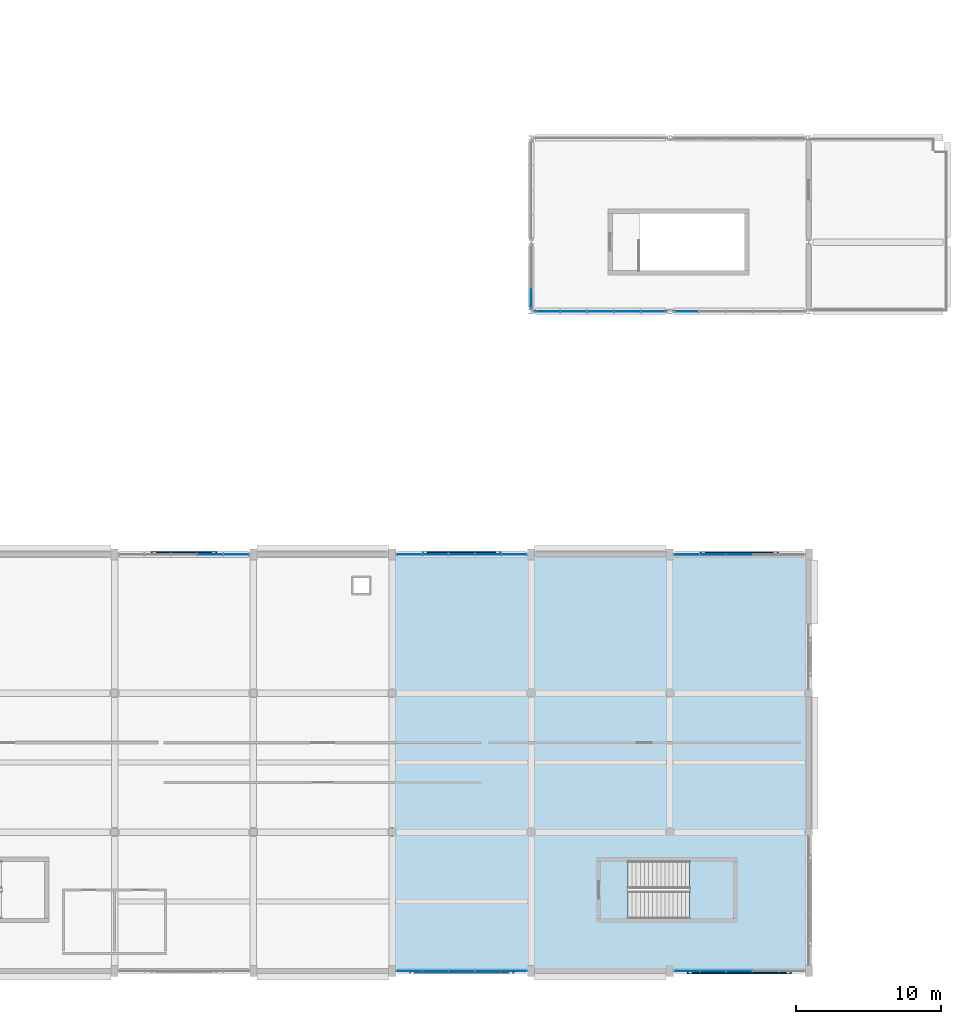
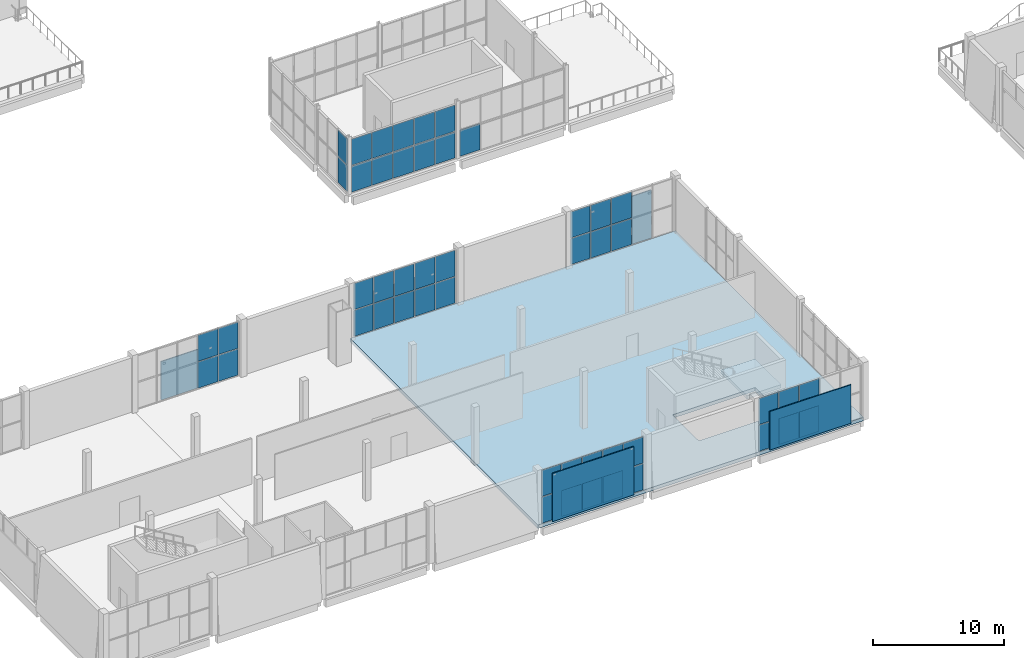
# One storey, part 43 of 83: 54 plates, 2 slabs, 9 elements without a shape of their own.
"""IFC4 building model written with IfcOpenShell, lengths in metres."""

from ifc_helpers import new_model, si_unit, direction, frame, origin, origin_2d, place, context, subcontext, project, spatial, polyline, rectangle, outline, extrude, material, layer, layer_set, type_object, element, aggregate, save


model = new_model("IFC4")

# Units and contexts
model_context = context("Model", 3, precision=1e-05, world=origin(), true_north=direction((0.0, 1.0)))
body_context = subcontext(model_context, "Body", "Model", "MODEL_VIEW")
ifc_project = project(units=[si_unit("LENGTHUNIT", "METRE"), si_unit("AREAUNIT", "SQUARE_METRE"), si_unit("VOLUMEUNIT", "CUBIC_METRE"), si_unit("PLANEANGLEUNIT", "RADIAN"), si_unit("MASSUNIT", "GRAM", prefix="KILO")], contexts=[model_context])

# Site, building, storey
site_placement = place(None, origin())
site = spatial("IfcSite", under=ifc_project, at=site_placement, CompositionType="ELEMENT")
building_placement = place(site_placement, origin())
building = spatial("IfcBuilding", under=site, at=building_placement, Name="Shalvenor Court Art Gallery", CompositionType="ELEMENT")
storey_placement = place(building_placement, frame((0.0, 0.0, 6.0)))
storey = spatial("IfcBuildingStorey", under=building, at=storey_placement, Name="L01", CompositionType="ELEMENT", Elevation=6.0)

# Curtain wall, plates
ifc_material_1 = material(Name="Anodised aluminium and low-iron glass curtain wall", Category="aluminium")
curtain_wall_type_1 = type_object("IfcCurtainWallType", Name="CW-5x2-91-51-211", PredefinedType="USERDEFINED", material=ifc_material_1)
curtain_wall_1_placement = place(storey_placement, origin())
curtain_wall_1 = element("IfcCurtainWall", 1, at=curtain_wall_1_placement, inside=storey, type_object=curtain_wall_type_1, Name="L01 V4 Curtain Wall CW-L01-129", ObjectType="CURTAIN WALL", PredefinedType="USERDEFINED")
ifc_material_2 = material(Name="Low-iron UV-laminated double glazing IGU", Category="glass")
ifc_layer_1 = layer(ifc_material_2, 0.028076171875, Name="Low-iron UV-laminated double glazing IGU")
ifc_layer_set_1 = layer_set([ifc_layer_1], Name="Low-iron UV-laminated double glazing IGU")
plate_type_1 = type_object("IfcPlateType", Name="CWP-01", PredefinedType="CURTAIN_PANEL", material=ifc_layer_set_1)
plate_1_placement = place(storey_placement, frame((25.820068359375, 28.800048828125, 0.06005859375), z_axis=(0.0, 0.0, 1.0), x_axis=(1.0, 0.0, 0.0)))
plate_1 = element("IfcPlate", 2, at=plate_1_placement, type_object=plate_type_1, Name="CW-5x2-91-51-211 panel 4.1", PredefinedType="CURTAIN_PANEL", context=body_context, shape_type="SweptSolid", body=[
    extrude(rectangle(XDim=1.75, YDim=0.028076171875, at=origin_2d()), origin(), (0.0, 0.0, 1.0), 2.449951171875),
])
plate_2_placement = place(storey_placement, frame((25.820068359375, 28.800048828125, 2.56982421875), z_axis=(0.0, 0.0, 1.0), x_axis=(1.0, 0.0, 0.0)))
plate_2 = element("IfcPlate", 3, at=plate_2_placement, type_object=plate_type_1, Name="CW-5x2-91-51-211 panel 4.2", PredefinedType="CURTAIN_PANEL", context=body_context, shape_type="SweptSolid", body=[
    extrude(rectangle(XDim=1.75, YDim=0.028076171875, at=origin_2d()), origin(), (0.0, 0.0, 1.0), 2.449951171875),
])
plate_3_placement = place(storey_placement, frame((27.62255859375, 28.800048828125, 0.06005859375), z_axis=(0.0, 0.0, 1.0), x_axis=(1.0, 0.0, 0.0)))
plate_3 = element("IfcPlate", 4, at=plate_3_placement, type_object=plate_type_1, Name="CW-5x2-91-51-211 panel 5.1", PredefinedType="CURTAIN_PANEL", context=body_context, shape_type="SweptSolid", body=[
    extrude(rectangle(XDim=1.715087890625, YDim=0.028076171875, at=origin_2d()), origin(), (0.0, 0.0, 1.0), 2.449951171875),
])
plate_4_placement = place(storey_placement, frame((27.62255859375, 28.800048828125, 2.56982421875), z_axis=(0.0, 0.0, 1.0), x_axis=(1.0, 0.0, 0.0)))
plate_4 = element("IfcPlate", 5, at=plate_4_placement, type_object=plate_type_1, Name="CW-5x2-91-51-211 panel 5.2", PredefinedType="CURTAIN_PANEL", context=body_context, shape_type="SweptSolid", body=[
    extrude(rectangle(XDim=1.715087890625, YDim=0.028076171875, at=origin_2d()), origin(), (0.0, 0.0, 1.0), 2.449951171875),
])
aggregate(curtain_wall_1, [plate_1, plate_2, plate_3, plate_4])

ifc_material_3 = material(Name="Anodised aluminium and low-iron glass curtain wall", Category="aluminium")
curtain_wall_type_2 = type_object("IfcCurtainWallType", Name="CW-5x2-91-51-421", PredefinedType="USERDEFINED", material=ifc_material_3)
curtain_wall_2_placement = place(storey_placement, origin())
curtain_wall_2 = element("IfcCurtainWall", 6, at=curtain_wall_2_placement, inside=storey, type_object=curtain_wall_type_2, Name="L01 V4 Curtain Wall CW-L01-130", ObjectType="CURTAIN WALL", PredefinedType="USERDEFINED")
plate_5_placement = place(storey_placement, frame((39.578857421875, 28.800048828125, 0.06494140625), z_axis=(0.0, 0.0, 1.0), x_axis=(1.0, 0.0, 0.0)))
plate_5 = element("IfcPlate", 7, at=plate_5_placement, type_object=plate_type_1, Name="CW-5x2-91-51-421 panel 1.1", PredefinedType="CURTAIN_PANEL", context=body_context, shape_type="SweptSolid", body=[
    extrude(rectangle(XDim=1.70751953125, YDim=0.028076171875, at=origin_2d()), origin(), (0.0, 0.0, 1.0), 2.4423828125),
])
plate_6_placement = place(storey_placement, frame((39.578857421875, 28.800048828125, 2.572509765625), z_axis=(0.0, 0.0, 1.0), x_axis=(1.0, 0.0, 0.0)))
plate_6 = element("IfcPlate", 8, at=plate_6_placement, type_object=plate_type_1, Name="CW-5x2-91-51-421 panel 1.2", PredefinedType="CURTAIN_PANEL", context=body_context, shape_type="SweptSolid", body=[
    extrude(rectangle(XDim=1.70751953125, YDim=0.028076171875, at=origin_2d()), origin(), (0.0, 0.0, 1.0), 2.4423828125),
])
plate_7_placement = place(storey_placement, frame((41.3798828125, 28.800048828125, 0.06494140625), z_axis=(0.0, 0.0, 1.0), x_axis=(1.0, 0.0, 0.0)))
plate_7 = element("IfcPlate", 9, at=plate_7_placement, type_object=plate_type_1, Name="CW-5x2-91-51-421 panel 2.1", PredefinedType="CURTAIN_PANEL", context=body_context, shape_type="SweptSolid", body=[
    extrude(rectangle(XDim=1.7451171875, YDim=0.028076171875, at=origin_2d()), origin(), (0.0, 0.0, 1.0), 2.4423828125),
])
plate_8_placement = place(storey_placement, frame((41.3798828125, 28.800048828125, 2.572509765625), z_axis=(0.0, 0.0, 1.0), x_axis=(1.0, 0.0, 0.0)))
plate_8 = element("IfcPlate", 10, at=plate_8_placement, type_object=plate_type_1, Name="CW-5x2-91-51-421 panel 2.2", PredefinedType="CURTAIN_PANEL", context=body_context, shape_type="SweptSolid", body=[
    extrude(rectangle(XDim=1.7451171875, YDim=0.028076171875, at=origin_2d()), origin(), (0.0, 0.0, 1.0), 2.4423828125),
])
plate_9_placement = place(storey_placement, frame((43.199951171875, 28.800048828125, 0.06494140625), z_axis=(0.0, 0.0, 1.0), x_axis=(1.0, 0.0, 0.0)))
plate_9 = element("IfcPlate", 11, at=plate_9_placement, type_object=plate_type_1, Name="CW-5x2-91-51-421 panel 3.1", PredefinedType="CURTAIN_PANEL", context=body_context, shape_type="SweptSolid", body=[
    extrude(rectangle(XDim=1.7451171875, YDim=0.028076171875, at=origin_2d()), origin(), (0.0, 0.0, 1.0), 2.4423828125),
])
plate_10_placement = place(storey_placement, frame((43.199951171875, 28.800048828125, 2.572509765625), z_axis=(0.0, 0.0, 1.0), x_axis=(1.0, 0.0, 0.0)))
plate_10 = element("IfcPlate", 12, at=plate_10_placement, type_object=plate_type_1, Name="CW-5x2-91-51-421 panel 3.2", PredefinedType="CURTAIN_PANEL", context=body_context, shape_type="SweptSolid", body=[
    extrude(rectangle(XDim=1.7451171875, YDim=0.028076171875, at=origin_2d()), origin(), (0.0, 0.0, 1.0), 2.4423828125),
])
plate_11_placement = place(storey_placement, frame((45.02001953125, 28.800048828125, 0.06494140625), z_axis=(0.0, 0.0, 1.0), x_axis=(1.0, 0.0, 0.0)))
plate_11 = element("IfcPlate", 13, at=plate_11_placement, type_object=plate_type_1, Name="CW-5x2-91-51-421 panel 4.1", PredefinedType="CURTAIN_PANEL", context=body_context, shape_type="SweptSolid", body=[
    extrude(rectangle(XDim=1.7451171875, YDim=0.028076171875, at=origin_2d()), origin(), (0.0, 0.0, 1.0), 2.4423828125),
])
plate_12_placement = place(storey_placement, frame((45.02001953125, 28.800048828125, 2.572509765625), z_axis=(0.0, 0.0, 1.0), x_axis=(1.0, 0.0, 0.0)))
plate_12 = element("IfcPlate", 14, at=plate_12_placement, type_object=plate_type_1, Name="CW-5x2-91-51-421 panel 4.2", PredefinedType="CURTAIN_PANEL", context=body_context, shape_type="SweptSolid", body=[
    extrude(rectangle(XDim=1.7451171875, YDim=0.028076171875, at=origin_2d()), origin(), (0.0, 0.0, 1.0), 2.4423828125),
])
plate_13_placement = place(storey_placement, frame((46.8212890625, 28.800048828125, 0.06494140625), z_axis=(0.0, 0.0, 1.0), x_axis=(1.0, 0.0, 0.0)))
plate_13 = element("IfcPlate", 15, at=plate_13_placement, type_object=plate_type_1, Name="CW-5x2-91-51-421 panel 5.1", PredefinedType="CURTAIN_PANEL", context=body_context, shape_type="SweptSolid", body=[
    extrude(rectangle(XDim=1.70751953125, YDim=0.028076171875, at=origin_2d()), origin(), (0.0, 0.0, 1.0), 2.4423828125),
])
plate_14_placement = place(storey_placement, frame((46.8212890625, 28.800048828125, 2.572509765625), z_axis=(0.0, 0.0, 1.0), x_axis=(1.0, 0.0, 0.0)))
plate_14 = element("IfcPlate", 16, at=plate_14_placement, type_object=plate_type_1, Name="CW-5x2-91-51-421 panel 5.2", PredefinedType="CURTAIN_PANEL", context=body_context, shape_type="SweptSolid", body=[
    extrude(rectangle(XDim=1.70751953125, YDim=0.028076171875, at=origin_2d()), origin(), (0.0, 0.0, 1.0), 2.4423828125),
])
aggregate(curtain_wall_2, [plate_5, plate_6, plate_7, plate_8, plate_9, plate_10, plate_11, plate_12, plate_13, plate_14])

ifc_material_4 = material(Name="Anodised aluminium and low-iron glass curtain wall", Category="aluminium")
curtain_wall_type_3 = type_object("IfcCurtainWallType", Name="CW-5x2-91-51-641", PredefinedType="USERDEFINED", material=ifc_material_4)
curtain_wall_3_placement = place(storey_placement, origin())
curtain_wall_3 = element("IfcCurtainWall", 17, at=curtain_wall_3_placement, inside=storey, type_object=curtain_wall_type_3, Name="L01 V4 Curtain Wall CW-L01-131", ObjectType="CURTAIN WALL", PredefinedType="USERDEFINED")
plate_15_placement = place(storey_placement, frame((58.773681640625, 28.800048828125, 0.070068359375), z_axis=(0.0, 0.0, 1.0), x_axis=(1.0, 0.0, 0.0)))
plate_15 = element("IfcPlate", 18, at=plate_15_placement, type_object=plate_type_1, Name="CW-5x2-91-51-641 panel 1.1", PredefinedType="CURTAIN_PANEL", context=body_context, shape_type="SweptSolid", body=[
    extrude(rectangle(XDim=1.737548828125, YDim=0.028076171875, at=origin_2d()), origin(), (0.0, 0.0, 1.0), 2.43505859375),
])
plate_16_placement = place(storey_placement, frame((58.773681640625, 28.800048828125, 2.574951171875), z_axis=(0.0, 0.0, 1.0), x_axis=(1.0, 0.0, 0.0)))
plate_16 = element("IfcPlate", 19, at=plate_16_placement, type_object=plate_type_1, Name="CW-5x2-91-51-641 panel 1.2", PredefinedType="CURTAIN_PANEL", context=body_context, shape_type="SweptSolid", body=[
    extrude(rectangle(XDim=1.737548828125, YDim=0.028076171875, at=origin_2d()), origin(), (0.0, 0.0, 1.0), 2.43505859375),
])
plate_17_placement = place(storey_placement, frame((60.580078125, 28.800048828125, 0.070068359375), z_axis=(0.0, 0.0, 1.0), x_axis=(1.0, 0.0, 0.0)))
plate_17 = element("IfcPlate", 20, at=plate_17_placement, type_object=plate_type_1, Name="CW-5x2-91-51-641 panel 2.1", PredefinedType="CURTAIN_PANEL", context=body_context, shape_type="SweptSolid", body=[
    extrude(rectangle(XDim=1.764892578125, YDim=0.028076171875, at=origin_2d()), origin(), (0.0, 0.0, 1.0), 2.43505859375),
])
plate_18_placement = place(storey_placement, frame((60.580078125, 28.800048828125, 2.574951171875), z_axis=(0.0, 0.0, 1.0), x_axis=(1.0, 0.0, 0.0)))
plate_18 = element("IfcPlate", 21, at=plate_18_placement, type_object=plate_type_1, Name="CW-5x2-91-51-641 panel 2.2", PredefinedType="CURTAIN_PANEL", context=body_context, shape_type="SweptSolid", body=[
    extrude(rectangle(XDim=1.764892578125, YDim=0.028076171875, at=origin_2d()), origin(), (0.0, 0.0, 1.0), 2.43505859375),
])
plate_19_placement = place(storey_placement, frame((62.39990234375, 28.800048828125, 0.070068359375), z_axis=(0.0, 0.0, 1.0), x_axis=(1.0, 0.0, 0.0)))
plate_19 = element("IfcPlate", 22, at=plate_19_placement, type_object=plate_type_1, Name="CW-5x2-91-51-641 panel 3.1", PredefinedType="CURTAIN_PANEL", context=body_context, shape_type="SweptSolid", body=[
    extrude(rectangle(XDim=1.764892578125, YDim=0.028076171875, at=origin_2d()), origin(), (0.0, 0.0, 1.0), 2.43505859375),
])
plate_20_placement = place(storey_placement, frame((62.39990234375, 28.800048828125, 2.574951171875), z_axis=(0.0, 0.0, 1.0), x_axis=(1.0, 0.0, 0.0)))
plate_20 = element("IfcPlate", 23, at=plate_20_placement, type_object=plate_type_1, Name="CW-5x2-91-51-641 panel 3.2", PredefinedType="CURTAIN_PANEL", context=body_context, shape_type="SweptSolid", body=[
    extrude(rectangle(XDim=1.764892578125, YDim=0.028076171875, at=origin_2d()), origin(), (0.0, 0.0, 1.0), 2.43505859375),
])
aggregate(curtain_wall_3, [plate_15, plate_16, plate_17, plate_18, plate_19, plate_20])

ifc_material_5 = material(Name="Anodised aluminium and low-iron glass curtain wall", Category="aluminium")
curtain_wall_type_4 = type_object("IfcCurtainWallType", Name="CW-5x2-91-51-441", PredefinedType="USERDEFINED", material=ifc_material_5)
curtain_wall_4_placement = place(storey_placement, origin())
curtain_wall_4 = element("IfcCurtainWall", 24, at=curtain_wall_4_placement, inside=storey, type_object=curtain_wall_type_4, Name="L01 V4 Curtain Wall CW-L01-134", ObjectType="CURTAIN WALL", PredefinedType="USERDEFINED")
plate_21_placement = place(storey_placement, frame((62.39990234375, 0.0, 0.070068359375), z_axis=(0.0, 0.0, 1.0), x_axis=(-1.0, 0.0, 0.0)))
plate_21 = element("IfcPlate", 25, at=plate_21_placement, type_object=plate_type_1, Name="CW-5x2-91-51-441 panel 3.1", PredefinedType="CURTAIN_PANEL", context=body_context, shape_type="SweptSolid", body=[
    extrude(rectangle(XDim=1.7451171875, YDim=0.028076171875, at=origin_2d()), origin(), (0.0, 0.0, 1.0), 2.43505859375),
])
plate_22_placement = place(storey_placement, frame((62.39990234375, 0.0, 2.574951171875), z_axis=(0.0, 0.0, 1.0), x_axis=(-1.0, 0.0, 0.0)))
plate_22 = element("IfcPlate", 26, at=plate_22_placement, type_object=plate_type_1, Name="CW-5x2-91-51-441 panel 3.2", PredefinedType="CURTAIN_PANEL", context=body_context, shape_type="SweptSolid", body=[
    extrude(rectangle(XDim=1.7451171875, YDim=0.028076171875, at=origin_2d()), origin(), (0.0, 0.0, 1.0), 2.43505859375),
])
plate_23_placement = place(storey_placement, frame((60.580078125, 0.0, 0.070068359375), z_axis=(0.0, 0.0, 1.0), x_axis=(-1.0, 0.0, 0.0)))
plate_23 = element("IfcPlate", 27, at=plate_23_placement, type_object=plate_type_1, Name="CW-5x2-91-51-441 panel 4.1", PredefinedType="CURTAIN_PANEL", context=body_context, shape_type="SweptSolid", body=[
    extrude(rectangle(XDim=1.7451171875, YDim=0.028076171875, at=origin_2d()), origin(), (0.0, 0.0, 1.0), 2.43505859375),
])
plate_24_placement = place(storey_placement, frame((60.580078125, 0.0, 2.574951171875), z_axis=(0.0, 0.0, 1.0), x_axis=(-1.0, 0.0, 0.0)))
plate_24 = element("IfcPlate", 28, at=plate_24_placement, type_object=plate_type_1, Name="CW-5x2-91-51-441 panel 4.2", PredefinedType="CURTAIN_PANEL", context=body_context, shape_type="SweptSolid", body=[
    extrude(rectangle(XDim=1.7451171875, YDim=0.028076171875, at=origin_2d()), origin(), (0.0, 0.0, 1.0), 2.43505859375),
])
plate_25_placement = place(storey_placement, frame((58.77880859375, 0.0, 0.070068359375), z_axis=(0.0, 0.0, 1.0), x_axis=(-1.0, 0.0, 0.0)))
plate_25 = element("IfcPlate", 29, at=plate_25_placement, type_object=plate_type_1, Name="CW-5x2-91-51-441 panel 5.1", PredefinedType="CURTAIN_PANEL", context=body_context, shape_type="SweptSolid", body=[
    extrude(rectangle(XDim=1.70751953125, YDim=0.028076171875, at=origin_2d()), origin(), (0.0, 0.0, 1.0), 2.43505859375),
])
plate_26_placement = place(storey_placement, frame((58.77880859375, 0.0, 2.574951171875), z_axis=(0.0, 0.0, 1.0), x_axis=(-1.0, 0.0, 0.0)))
plate_26 = element("IfcPlate", 30, at=plate_26_placement, type_object=plate_type_1, Name="CW-5x2-91-51-441 panel 5.2", PredefinedType="CURTAIN_PANEL", context=body_context, shape_type="SweptSolid", body=[
    extrude(rectangle(XDim=1.70751953125, YDim=0.028076171875, at=origin_2d()), origin(), (0.0, 0.0, 1.0), 2.43505859375),
])
aggregate(curtain_wall_4, [plate_21, plate_22, plate_23, plate_24, plate_25, plate_26])

ifc_material_6 = material(Name="Anodised aluminium and low-iron glass curtain wall", Category="aluminium")
curtain_wall_type_5 = type_object("IfcCurtainWallType", Name="CW-5x2-91-51-611", PredefinedType="USERDEFINED", material=ifc_material_6)
curtain_wall_5_placement = place(storey_placement, origin())
curtain_wall_5 = element("IfcCurtainWall", 31, at=curtain_wall_5_placement, inside=storey, type_object=curtain_wall_type_5, Name="L01 V4 Curtain Wall CW-L01-135", ObjectType="CURTAIN WALL", PredefinedType="USERDEFINED")
plate_27_placement = place(storey_placement, frame((46.826171875, 0.0, 0.06005859375), z_axis=(0.0, 0.0, 1.0), x_axis=(-1.0, 0.0, 0.0)))
plate_27 = element("IfcPlate", 32, at=plate_27_placement, type_object=plate_type_1, Name="CW-5x2-91-51-611 panel 1.1", PredefinedType="CURTAIN_PANEL", context=body_context, shape_type="SweptSolid", body=[
    extrude(rectangle(XDim=1.737548828125, YDim=0.028076171875, at=origin_2d()), origin(), (0.0, 0.0, 1.0), 2.449951171875),
])
plate_28_placement = place(storey_placement, frame((46.826171875, 0.0, 2.56982421875), z_axis=(0.0, 0.0, 1.0), x_axis=(-1.0, 0.0, 0.0)))
plate_28 = element("IfcPlate", 33, at=plate_28_placement, type_object=plate_type_1, Name="CW-5x2-91-51-611 panel 1.2", PredefinedType="CURTAIN_PANEL", context=body_context, shape_type="SweptSolid", body=[
    extrude(rectangle(XDim=1.737548828125, YDim=0.028076171875, at=origin_2d()), origin(), (0.0, 0.0, 1.0), 2.449951171875),
])
plate_29_placement = place(storey_placement, frame((45.02001953125, 0.0, 0.06005859375), z_axis=(0.0, 0.0, 1.0), x_axis=(-1.0, 0.0, 0.0)))
plate_29 = element("IfcPlate", 34, at=plate_29_placement, type_object=plate_type_1, Name="CW-5x2-91-51-611 panel 2.1", PredefinedType="CURTAIN_PANEL", context=body_context, shape_type="SweptSolid", body=[
    extrude(rectangle(XDim=1.764892578125, YDim=0.028076171875, at=origin_2d()), origin(), (0.0, 0.0, 1.0), 2.449951171875),
])
plate_30_placement = place(storey_placement, frame((45.02001953125, 0.0, 2.56982421875), z_axis=(0.0, 0.0, 1.0), x_axis=(-1.0, 0.0, 0.0)))
plate_30 = element("IfcPlate", 35, at=plate_30_placement, type_object=plate_type_1, Name="CW-5x2-91-51-611 panel 2.2", PredefinedType="CURTAIN_PANEL", context=body_context, shape_type="SweptSolid", body=[
    extrude(rectangle(XDim=1.764892578125, YDim=0.028076171875, at=origin_2d()), origin(), (0.0, 0.0, 1.0), 2.449951171875),
])
plate_31_placement = place(storey_placement, frame((43.199951171875, 0.0, 0.06005859375), z_axis=(0.0, 0.0, 1.0), x_axis=(-1.0, 0.0, 0.0)))
plate_31 = element("IfcPlate", 36, at=plate_31_placement, type_object=plate_type_1, Name="CW-5x2-91-51-611 panel 3.1", PredefinedType="CURTAIN_PANEL", context=body_context, shape_type="SweptSolid", body=[
    extrude(rectangle(XDim=1.764892578125, YDim=0.028076171875, at=origin_2d()), origin(), (0.0, 0.0, 1.0), 2.449951171875),
])
plate_32_placement = place(storey_placement, frame((43.199951171875, 0.0, 2.56982421875), z_axis=(0.0, 0.0, 1.0), x_axis=(-1.0, 0.0, 0.0)))
plate_32 = element("IfcPlate", 37, at=plate_32_placement, type_object=plate_type_1, Name="CW-5x2-91-51-611 panel 3.2", PredefinedType="CURTAIN_PANEL", context=body_context, shape_type="SweptSolid", body=[
    extrude(rectangle(XDim=1.764892578125, YDim=0.028076171875, at=origin_2d()), origin(), (0.0, 0.0, 1.0), 2.449951171875),
])
plate_33_placement = place(storey_placement, frame((41.3798828125, 0.0, 0.06005859375), z_axis=(0.0, 0.0, 1.0), x_axis=(-1.0, 0.0, 0.0)))
plate_33 = element("IfcPlate", 38, at=plate_33_placement, type_object=plate_type_1, Name="CW-5x2-91-51-611 panel 4.1", PredefinedType="CURTAIN_PANEL", context=body_context, shape_type="SweptSolid", body=[
    extrude(rectangle(XDim=1.764892578125, YDim=0.028076171875, at=origin_2d()), origin(), (0.0, 0.0, 1.0), 2.449951171875),
])
plate_34_placement = place(storey_placement, frame((41.3798828125, 0.0, 2.56982421875), z_axis=(0.0, 0.0, 1.0), x_axis=(-1.0, 0.0, 0.0)))
plate_34 = element("IfcPlate", 39, at=plate_34_placement, type_object=plate_type_1, Name="CW-5x2-91-51-611 panel 4.2", PredefinedType="CURTAIN_PANEL", context=body_context, shape_type="SweptSolid", body=[
    extrude(rectangle(XDim=1.764892578125, YDim=0.028076171875, at=origin_2d()), origin(), (0.0, 0.0, 1.0), 2.449951171875),
])
plate_35_placement = place(storey_placement, frame((39.57373046875, 0.0, 0.06005859375), z_axis=(0.0, 0.0, 1.0), x_axis=(-1.0, 0.0, 0.0)))
plate_35 = element("IfcPlate", 40, at=plate_35_placement, type_object=plate_type_1, Name="CW-5x2-91-51-611 panel 5.1", PredefinedType="CURTAIN_PANEL", context=body_context, shape_type="SweptSolid", body=[
    extrude(rectangle(XDim=1.737548828125, YDim=0.028076171875, at=origin_2d()), origin(), (0.0, 0.0, 1.0), 2.449951171875),
])
plate_36_placement = place(storey_placement, frame((39.57373046875, 0.0, 2.56982421875), z_axis=(0.0, 0.0, 1.0), x_axis=(-1.0, 0.0, 0.0)))
plate_36 = element("IfcPlate", 41, at=plate_36_placement, type_object=plate_type_1, Name="CW-5x2-91-51-611 panel 5.2", PredefinedType="CURTAIN_PANEL", context=body_context, shape_type="SweptSolid", body=[
    extrude(rectangle(XDim=1.737548828125, YDim=0.028076171875, at=origin_2d()), origin(), (0.0, 0.0, 1.0), 2.449951171875),
])
aggregate(curtain_wall_5, [plate_27, plate_28, plate_29, plate_30, plate_31, plate_32, plate_33, plate_34, plate_35, plate_36])

# Curtain wall, plate
ifc_material_7 = material(Name="Anodised aluminium and low-iron glass curtain wall", Category="aluminium")
curtain_wall_type_6 = type_object("IfcCurtainWallType", Name="CW-5x2-93-51-216", PredefinedType="USERDEFINED", material=ifc_material_7)
curtain_wall_6_placement = place(storey_placement, origin())
curtain_wall_6 = element("IfcCurtainWall", 42, at=curtain_wall_6_placement, inside=storey, type_object=curtain_wall_type_6, Name="L01 V6 Curtain Wall CW-L01-201", ObjectType="CURTAIN WALL", PredefinedType="USERDEFINED")
ifc_material_8 = material(Name="Solar-control laminated cloister glazing IGU", Category="glass")
ifc_layer_2 = layer(ifc_material_8, 0.0439453125, Name="Solar-control laminated cloister glazing IGU")
ifc_layer_set_2 = layer_set([ifc_layer_2], Name="Solar-control laminated cloister glazing IGU")
plate_type_2 = type_object("IfcPlateType", Name="CWP-06", PredefinedType="CURTAIN_PANEL", material=ifc_layer_set_2)
plate_37_placement = place(storey_placement, frame((58.697509765625, 45.60009765625, 0.06005859375), z_axis=(0.0, 0.0, 1.0), x_axis=(-1.0, 0.0, 0.0)))
plate_37 = element("IfcPlate", 43, at=plate_37_placement, type_object=plate_type_2, Name="CW-5x2-93-51-216 panel 5.1", PredefinedType="CURTAIN_PANEL", context=body_context, shape_type="SweptSolid", body=[
    extrude(rectangle(XDim=1.7548828125, YDim=0.0439453125, at=origin_2d()), origin(), (0.0, 0.0, 1.0), 2.449951171875),
])
aggregate(curtain_wall_6, [plate_37])

# Curtain wall, plates
ifc_material_9 = material(Name="Anodised aluminium and low-iron glass curtain wall", Category="aluminium")
curtain_wall_type_7 = type_object("IfcCurtainWallType", Name="CW-5x2-93-51-426", PredefinedType="USERDEFINED", material=ifc_material_9)
curtain_wall_7_placement = place(storey_placement, origin())
curtain_wall_7 = element("IfcCurtainWall", 44, at=curtain_wall_7_placement, inside=storey, type_object=curtain_wall_type_7, Name="L01 V6 Curtain Wall CW-L01-202", ObjectType="CURTAIN WALL", PredefinedType="USERDEFINED")
plate_38_placement = place(storey_placement, frame((56.501220703125, 45.60009765625, 0.06494140625), z_axis=(0.0, 0.0, 1.0), x_axis=(-1.0, 0.0, 0.0)))
plate_38 = element("IfcPlate", 45, at=plate_38_placement, type_object=plate_type_2, Name="CW-5x2-93-51-426 panel 1.1", PredefinedType="CURTAIN_PANEL", context=body_context, shape_type="SweptSolid", body=[
    extrude(rectangle(XDim=1.74755859375, YDim=0.0439453125, at=origin_2d()), origin(), (0.0, 0.0, 1.0), 2.4423828125),
])
plate_39_placement = place(storey_placement, frame((56.501220703125, 45.60009765625, 2.572509765625), z_axis=(0.0, 0.0, 1.0), x_axis=(-1.0, 0.0, 0.0)))
plate_39 = element("IfcPlate", 46, at=plate_39_placement, type_object=plate_type_2, Name="CW-5x2-93-51-426 panel 1.2", PredefinedType="CURTAIN_PANEL", context=body_context, shape_type="SweptSolid", body=[
    extrude(rectangle(XDim=1.74755859375, YDim=0.0439453125, at=origin_2d()), origin(), (0.0, 0.0, 1.0), 2.4423828125),
])
plate_40_placement = place(storey_placement, frame((54.659912109375, 45.60009765625, 0.06494140625), z_axis=(0.0, 0.0, 1.0), x_axis=(-1.0, 0.0, 0.0)))
plate_40 = element("IfcPlate", 47, at=plate_40_placement, type_object=plate_type_2, Name="CW-5x2-93-51-426 panel 2.1", PredefinedType="CURTAIN_PANEL", context=body_context, shape_type="SweptSolid", body=[
    extrude(rectangle(XDim=1.784912109375, YDim=0.0439453125, at=origin_2d()), origin(), (0.0, 0.0, 1.0), 2.4423828125),
])
plate_41_placement = place(storey_placement, frame((54.659912109375, 45.60009765625, 2.572509765625), z_axis=(0.0, 0.0, 1.0), x_axis=(-1.0, 0.0, 0.0)))
plate_41 = element("IfcPlate", 48, at=plate_41_placement, type_object=plate_type_2, Name="CW-5x2-93-51-426 panel 2.2", PredefinedType="CURTAIN_PANEL", context=body_context, shape_type="SweptSolid", body=[
    extrude(rectangle(XDim=1.784912109375, YDim=0.0439453125, at=origin_2d()), origin(), (0.0, 0.0, 1.0), 2.4423828125),
])
plate_42_placement = place(storey_placement, frame((52.800048828125, 45.60009765625, 0.06494140625), z_axis=(0.0, 0.0, 1.0), x_axis=(-1.0, 0.0, 0.0)))
plate_42 = element("IfcPlate", 49, at=plate_42_placement, type_object=plate_type_2, Name="CW-5x2-93-51-426 panel 3.1", PredefinedType="CURTAIN_PANEL", context=body_context, shape_type="SweptSolid", body=[
    extrude(rectangle(XDim=1.784912109375, YDim=0.0439453125, at=origin_2d()), origin(), (0.0, 0.0, 1.0), 2.4423828125),
])
plate_43_placement = place(storey_placement, frame((52.800048828125, 45.60009765625, 2.572509765625), z_axis=(0.0, 0.0, 1.0), x_axis=(-1.0, 0.0, 0.0)))
plate_43 = element("IfcPlate", 50, at=plate_43_placement, type_object=plate_type_2, Name="CW-5x2-93-51-426 panel 3.2", PredefinedType="CURTAIN_PANEL", context=body_context, shape_type="SweptSolid", body=[
    extrude(rectangle(XDim=1.784912109375, YDim=0.0439453125, at=origin_2d()), origin(), (0.0, 0.0, 1.0), 2.4423828125),
])
plate_44_placement = place(storey_placement, frame((50.93994140625, 45.60009765625, 0.06494140625), z_axis=(0.0, 0.0, 1.0), x_axis=(-1.0, 0.0, 0.0)))
plate_44 = element("IfcPlate", 51, at=plate_44_placement, type_object=plate_type_2, Name="CW-5x2-93-51-426 panel 4.1", PredefinedType="CURTAIN_PANEL", context=body_context, shape_type="SweptSolid", body=[
    extrude(rectangle(XDim=1.784912109375, YDim=0.0439453125, at=origin_2d()), origin(), (0.0, 0.0, 1.0), 2.4423828125),
])
plate_45_placement = place(storey_placement, frame((50.93994140625, 45.60009765625, 2.572509765625), z_axis=(0.0, 0.0, 1.0), x_axis=(-1.0, 0.0, 0.0)))
plate_45 = element("IfcPlate", 52, at=plate_45_placement, type_object=plate_type_2, Name="CW-5x2-93-51-426 panel 4.2", PredefinedType="CURTAIN_PANEL", context=body_context, shape_type="SweptSolid", body=[
    extrude(rectangle(XDim=1.784912109375, YDim=0.0439453125, at=origin_2d()), origin(), (0.0, 0.0, 1.0), 2.4423828125),
])
plate_46_placement = place(storey_placement, frame((49.0986328125, 45.60009765625, 0.06494140625), z_axis=(0.0, 0.0, 1.0), x_axis=(-1.0, 0.0, 0.0)))
plate_46 = element("IfcPlate", 53, at=plate_46_placement, type_object=plate_type_2, Name="CW-5x2-93-51-426 panel 5.1", PredefinedType="CURTAIN_PANEL", context=body_context, shape_type="SweptSolid", body=[
    extrude(rectangle(XDim=1.74755859375, YDim=0.0439453125, at=origin_2d()), origin(), (0.0, 0.0, 1.0), 2.4423828125),
])
plate_47_placement = place(storey_placement, frame((49.0986328125, 45.60009765625, 2.572509765625), z_axis=(0.0, 0.0, 1.0), x_axis=(-1.0, 0.0, 0.0)))
plate_47 = element("IfcPlate", 54, at=plate_47_placement, type_object=plate_type_2, Name="CW-5x2-93-51-426 panel 5.2", PredefinedType="CURTAIN_PANEL", context=body_context, shape_type="SweptSolid", body=[
    extrude(rectangle(XDim=1.74755859375, YDim=0.0439453125, at=origin_2d()), origin(), (0.0, 0.0, 1.0), 2.4423828125),
])
aggregate(curtain_wall_7, [plate_38, plate_39, plate_40, plate_41, plate_42, plate_43, plate_44, plate_45, plate_46, plate_47])

ifc_material_10 = material(Name="Anodised aluminium and low-iron glass curtain wall", Category="aluminium")
curtain_wall_type_8 = type_object("IfcCurtainWallType", Name="CW-3x2-45-51-646", PredefinedType="USERDEFINED", material=ifc_material_10)
curtain_wall_8_placement = place(storey_placement, origin())
curtain_wall_8 = element("IfcCurtainWall", 55, at=curtain_wall_8_placement, inside=storey, type_object=curtain_wall_type_8, Name="L01 V6 Curtain Wall CW-L01-203", ObjectType="CURTAIN WALL", PredefinedType="USERDEFINED")
plate_48_placement = place(storey_placement, frame((48.0, 46.513671875, 0.070068359375), z_axis=(0.0, 0.0, 1.0), x_axis=(0.0, 1.0, 0.0)))
plate_48 = element("IfcPlate", 56, at=plate_48_placement, type_object=plate_type_2, Name="CW-3x2-45-51-646 panel 1.1", PredefinedType="CURTAIN_PANEL", context=body_context, shape_type="SweptSolid", body=[
    extrude(rectangle(XDim=1.41748046875, YDim=0.0439453125, at=origin_2d()), origin(), (0.0, 0.0, 1.0), 2.43505859375),
])
plate_49_placement = place(storey_placement, frame((48.0, 46.513671875, 2.574951171875), z_axis=(0.0, 0.0, 1.0), x_axis=(0.0, 1.0, 0.0)))
plate_49 = element("IfcPlate", 57, at=plate_49_placement, type_object=plate_type_2, Name="CW-3x2-45-51-646 panel 1.2", PredefinedType="CURTAIN_PANEL", context=body_context, shape_type="SweptSolid", body=[
    extrude(rectangle(XDim=1.41748046875, YDim=0.0439453125, at=origin_2d()), origin(), (0.0, 0.0, 1.0), 2.43505859375),
])
aggregate(curtain_wall_8, [plate_48, plate_49])

# Slab
ifc_material_11 = material(Name="Concrete C40/50", Category="concrete")
ifc_layer_3 = layer(ifc_material_11, 0.320068359375, Name="Concrete C40/50")
ifc_layer_set_3 = layer_set([ifc_layer_3], Name="Concrete C40/50")
slab_type_1 = type_object("IfcSlabType", Name="FS-320", PredefinedType="FLOOR", material=ifc_layer_set_3)
slab_1_placement = place(storey_placement, frame((0.0, 0.0, -0.320068359375)))
element("IfcSlab", 58, at=slab_1_placement, inside=storey, type_object=slab_type_1, Name="L01 V4 Floor Slab 3", PredefinedType="FLOOR", context=body_context, shape_type="SweptSolid", body=[
    extrude(outline(polyline([(67.199951171875, 28.800048828125), (67.199951171875, 0.0), (38.39990234375, 0.0), (38.39990234375, 28.800048828125), (67.199951171875, 28.800048828125)]), holes=[polyline([(54.7109375, 7.60009765625), (54.7109375, 3.60009765625), (62.0, 3.60009765625), (62.0, 7.60009765625), (54.7109375, 7.60009765625)])]), origin(), (0.0, 0.0, 1.0), 0.320068359375),
])

# Plates
ifc_material_12 = material(Name="Perforated pale limestone GRC lattice", Category="masonry")
ifc_layer_4 = layer(ifc_material_12, 0.090087890625, Name="Perforated pale limestone GRC lattice")
ifc_layer_set_4 = layer_set([ifc_layer_4], Name="Perforated pale limestone GRC lattice")
plate_type_3 = type_object("IfcPlateType", Name="SCR-02", PredefinedType="USERDEFINED", material=ifc_layer_set_4)
plate_50_placement = place(storey_placement, frame((24.0, 28.943115234375, 0.0), z_axis=(0.0, 0.0, 1.0), x_axis=(1.0, 0.0, 0.0)))
element("IfcPlate", 59, at=plate_50_placement, inside=storey, type_object=plate_type_3, Name="L01 V4 Perforated Stone Lattice Screen PLT-SCR-0114", ObjectType="SCREEN", PredefinedType="USERDEFINED", context=body_context, shape_type="SweptSolid", body=[
    extrude(rectangle(XDim=4.5, YDim=0.090087890625, at=origin_2d()), origin(), (0.0, 0.0, 1.0), 3.60009765625),
])
ifc_material_13 = material(Name="Perforated pale limestone GRC lattice", Category="masonry")
ifc_layer_5 = layer(ifc_material_13, 0.090087890625, Name="Perforated pale limestone GRC lattice")
ifc_layer_set_5 = layer_set([ifc_layer_5], Name="Perforated pale limestone GRC lattice")
plate_type_4 = type_object("IfcPlateType", Name="SCR-03", PredefinedType="USERDEFINED", material=ifc_layer_set_5)
plate_51_placement = place(storey_placement, frame((43.199951171875, 28.952880859375, 0.0), z_axis=(0.0, 0.0, 1.0), x_axis=(1.0, 0.0, 0.0)))
element("IfcPlate", 60, at=plate_51_placement, inside=storey, type_object=plate_type_4, Name="L01 V4 Perforated Stone Lattice Screen PLT-SCR-0115", ObjectType="SCREEN", PredefinedType="USERDEFINED", context=body_context, shape_type="SweptSolid", body=[
    extrude(rectangle(XDim=5.39990234375, YDim=0.090087890625, at=origin_2d()), origin(), (0.0, 0.0, 1.0), 3.60009765625),
])
ifc_material_14 = material(Name="Perforated pale limestone GRC lattice", Category="masonry")
ifc_layer_6 = layer(ifc_material_14, 0.090087890625, Name="Perforated pale limestone GRC lattice")
ifc_layer_set_6 = layer_set([ifc_layer_6], Name="Perforated pale limestone GRC lattice")
plate_type_5 = type_object("IfcPlateType", Name="SCR-04", PredefinedType="USERDEFINED", material=ifc_layer_set_6)
plate_52_placement = place(storey_placement, frame((62.39990234375, 28.9130859375, 0.0), z_axis=(0.0, 0.0, 1.0), x_axis=(1.0, 0.0, 0.0)))
element("IfcPlate", 61, at=plate_52_placement, inside=storey, type_object=plate_type_5, Name="L01 V4 Perforated Stone Lattice Screen PLT-SCR-0116", ObjectType="SCREEN", PredefinedType="USERDEFINED", context=body_context, shape_type="SweptSolid", body=[
    extrude(rectangle(XDim=5.39990234375, YDim=0.090087890625, at=origin_2d()), origin(), (0.0, 0.0, 1.0), 4.5),
])
ifc_material_15 = material(Name="Perforated pale limestone GRC lattice", Category="masonry")
ifc_layer_7 = layer(ifc_material_15, 0.090087890625, Name="Perforated pale limestone GRC lattice")
ifc_layer_set_7 = layer_set([ifc_layer_7], Name="Perforated pale limestone GRC lattice")
plate_type_6 = type_object("IfcPlateType", Name="SCR-07", PredefinedType="USERDEFINED", material=ifc_layer_set_7)
plate_53_placement = place(storey_placement, frame((62.39990234375, -0.153076171875, 0.0), z_axis=(0.0, 0.0, 1.0), x_axis=(-1.0, 0.0, 0.0)))
element("IfcPlate", 62, at=plate_53_placement, inside=storey, type_object=plate_type_6, Name="L01 V4 Perforated Stone Lattice Screen PLT-SCR-0119", ObjectType="SCREEN", PredefinedType="USERDEFINED", context=body_context, shape_type="SweptSolid", body=[
    extrude(rectangle(XDim=7.199951171875, YDim=0.090087890625, at=origin_2d()), origin(), (0.0, 0.0, 1.0), 3.60009765625),
])
ifc_material_16 = material(Name="Perforated pale limestone GRC lattice", Category="masonry")
ifc_layer_8 = layer(ifc_material_16, 0.090087890625, Name="Perforated pale limestone GRC lattice")
ifc_layer_set_8 = layer_set([ifc_layer_8], Name="Perforated pale limestone GRC lattice")
plate_type_7 = type_object("IfcPlateType", Name="SCR-08", PredefinedType="USERDEFINED", material=ifc_layer_set_8)
plate_54_placement = place(storey_placement, frame((43.199951171875, -0.113037109375, 0.0), z_axis=(0.0, 0.0, 1.0), x_axis=(-1.0, 0.0, 0.0)))
element("IfcPlate", 63, at=plate_54_placement, inside=storey, type_object=plate_type_7, Name="L01 V4 Perforated Stone Lattice Screen PLT-SCR-0120", ObjectType="SCREEN", PredefinedType="USERDEFINED", context=body_context, shape_type="SweptSolid", body=[
    extrude(rectangle(XDim=7.199951171875, YDim=0.090087890625, at=origin_2d()), origin(), (0.0, 0.0, 1.0), 4.5),
])

# Stair, slab
ifc_material_17 = material(Name="Concrete C40/50", Category="concrete")
stair_type = type_object("IfcStairType", Name="ST-DL-32R-1900", PredefinedType="HALF_TURN_STAIR", material=ifc_material_17)
stair_placement = place(storey_placement, origin())
stair = element("IfcStair", 64, at=stair_placement, inside=storey, type_object=stair_type, Name="L01 Core Dogleg Stair ST-08", PredefinedType="HALF_TURN_STAIR")
ifc_material_18 = material(Name="Concrete C40/50", Category="concrete")
ifc_layer_9 = layer(ifc_material_18, 0.300048828125, Name="Concrete C40/50")
ifc_layer_set_9 = layer_set([ifc_layer_9], Name="Concrete C40/50")
slab_type_2 = type_object("IfcSlabType", Name="SLD-300", PredefinedType="LANDING", material=ifc_layer_set_9)
slab_2_placement = place(storey_placement, frame((0.0, 0.0, 2.39990234375)))
slab_2 = element("IfcSlab", 65, at=slab_2_placement, type_object=slab_type_2, Name="ST-DL-32R-1900 landing 1", PredefinedType="LANDING", context=body_context, shape_type="SweptSolid", body=[
    extrude(outline(polyline([(58.97509765625, 3.60009765625), (62.0, 3.60009765625), (62.0, 7.60009765625), (58.97509765625, 7.60009765625), (58.97509765625, 3.60009765625)])), origin(), (0.0, 0.0, 1.0), 0.300048828125),
])
aggregate(stair, [slab_2])

save(model, "model.ifc")
